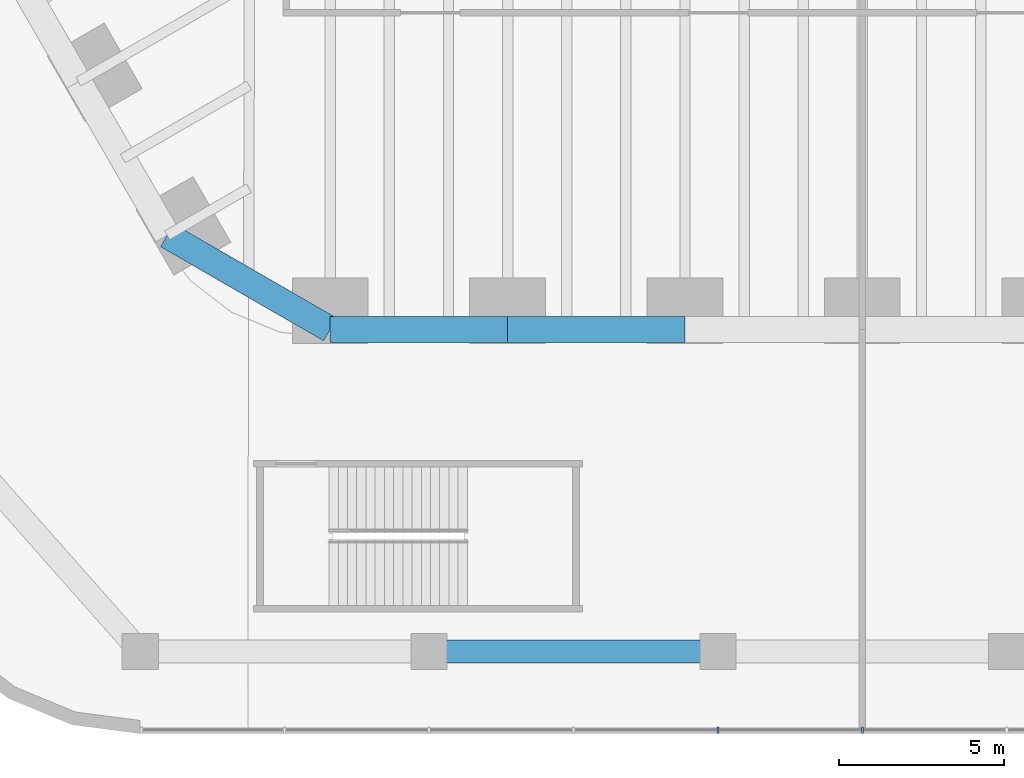
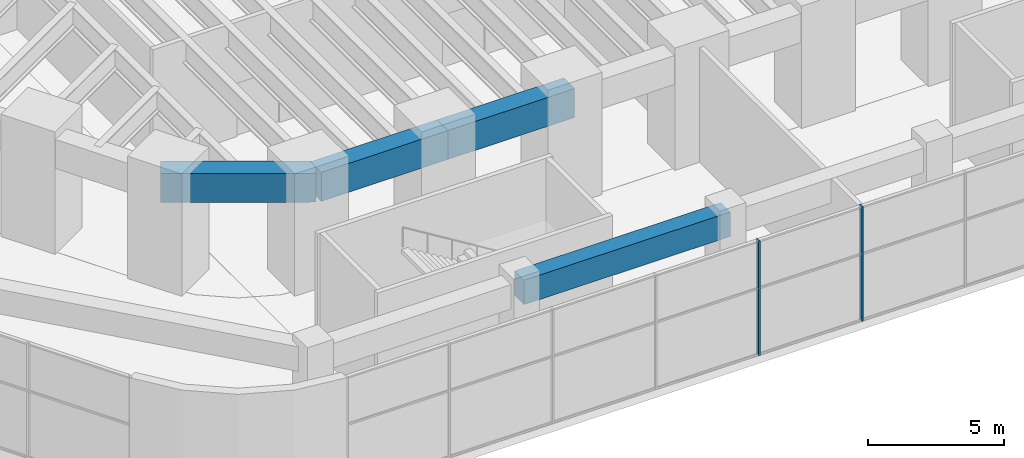
# One storey, part 5 of 31: 4 beams, 2 members, 1 element without a shape of its own.
"""IFC4 building model written with IfcOpenShell, lengths in metres."""

from ifc_helpers import new_model, si_unit, direction, frame, origin, origin_2d, place, context, subcontext, project, spatial, rectangle, extrude, material, material_profile, profile_set, type_object, element, aggregate, save


model = new_model("IFC4")

# Units and contexts
model_context = context("Model", 3, precision=1e-05, world=origin(), true_north=direction((0.0, 1.0)))
body_context = subcontext(model_context, "Body", "Model", "MODEL_VIEW")
ifc_project = project(units=[si_unit("LENGTHUNIT", "METRE"), si_unit("AREAUNIT", "SQUARE_METRE"), si_unit("VOLUMEUNIT", "CUBIC_METRE"), si_unit("PLANEANGLEUNIT", "RADIAN"), si_unit("MASSUNIT", "GRAM", prefix="KILO")], contexts=[model_context])

# Site, building, storey
site_placement = place(None, origin())
site = spatial("IfcSite", under=ifc_project, at=site_placement, CompositionType="ELEMENT")
building_placement = place(site_placement, origin())
building = spatial("IfcBuilding", under=site, at=building_placement, Name="Tarfa Lantern Tower", CompositionType="ELEMENT")
storey_placement = place(building_placement, frame((0.0, 0.0, 13.0)))
storey = spatial("IfcBuildingStorey", under=building, at=storey_placement, Name="L02", CompositionType="ELEMENT", Elevation=13.0)

# Curtain wall, members
ifc_material_1 = material(Name="Aluminium framed curtain wall", Category="aluminium")
curtain_wall_type = type_object("IfcCurtainWallType", Name="CW7 PODIUM GLAZING 5150", PredefinedType="USERDEFINED", material=ifc_material_1)
curtain_wall_placement = place(storey_placement, origin())
curtain_wall = element("IfcCurtainWall", 1, at=curtain_wall_placement, inside=storey, type_object=curtain_wall_type, Name="CW7 S L02", ObjectType="CURTAIN WALL", PredefinedType="USERDEFINED")
ifc_material_2 = material(Name="Aluminium mullion", Category="aluminium")
ifc_material_profile_1 = material_profile(ifc_material_2, rectangle(XDim=0.06494140625, YDim=0.199951171875, at=origin_2d()), Name="AL MULLION 65x200")
ifc_profile_set_1 = profile_set([ifc_material_profile_1], Name="Aluminium mullion")
member_type = type_object("IfcMemberType", Name="CWM1 MULLION 65x200", PredefinedType="MULLION", material=ifc_profile_set_1)
member_1_placement = place(storey_placement, frame((-4.387939453125, -45.89990234375, 0.0), z_axis=(0.0, 0.0, 1.0), x_axis=(1.0, 0.0, 0.0)))
member_1 = element("IfcMember", 2, at=member_1_placement, type_object=member_type, Name="CW7 mullion 5", PredefinedType="MULLION", context=body_context, shape_type="SweptSolid", body=[
    extrude(rectangle(XDim=0.06494140625, YDim=0.199951171875, at=origin_2d()), origin(), (0.0, 0.0, 1.0), 5.14990234375),
])
member_2_placement = place(storey_placement, frame((0.0, -45.89990234375, 0.0), z_axis=(0.0, 0.0, 1.0), x_axis=(1.0, 0.0, 0.0)))
member_2 = element("IfcMember", 3, at=member_2_placement, type_object=member_type, Name="CW7 mullion 6", PredefinedType="MULLION", context=body_context, shape_type="SweptSolid", body=[
    extrude(rectangle(XDim=0.06494140625, YDim=0.199951171875, at=origin_2d()), origin(), (0.0, 0.0, 1.0), 5.14990234375),
])
aggregate(curtain_wall, [member_1, member_2])

# Beams
ifc_material_3 = material(Name="Concrete C80/95", Category="concrete")
ifc_material_profile_2 = material_profile(ifc_material_3, rectangle(XDim=0.800048828125, YDim=1.300048828125, at=origin_2d()), Name="RC 800x1300")
ifc_profile_set_2 = profile_set([ifc_material_profile_2], Name="Concrete C80/95")
beam_type_1 = type_object("IfcBeamType", Name="EB1 RC 800x1300", PredefinedType="SPANDREL", material=ifc_profile_set_2)
beam_1_placement = place(storey_placement, frame((-21.119384765625, -30.860107421875, 4.5), z_axis=(0.866033479681, -0.499986011877, 0.0), x_axis=(0.499986011877, 0.866033479681, 0.0)))
element("IfcBeam", 4, at=beam_1_placement, inside=storey, type_object=beam_type_1, Name="Edge beam SW6", PredefinedType="SPANDREL", context=body_context, shape_type="SweptSolid", body=[
    extrude(rectangle(XDim=0.800048828125, YDim=1.300048828125, at=origin_2d()), origin(), (0.0, 0.0, 1.0), 5.719970703125),
])
beam_2_placement = place(storey_placement, frame((-16.165771484375, -33.719970703125, 4.5), z_axis=(1.0, 0.0, 0.0), x_axis=(0.0, 1.0, 0.0)))
element("IfcBeam", 5, at=beam_2_placement, inside=storey, type_object=beam_type_1, Name="Edge beam S0", PredefinedType="SPANDREL", context=body_context, shape_type="SweptSolid", body=[
    extrude(rectangle(XDim=0.800048828125, YDim=1.300048828125, at=origin_2d()), origin(), (0.0, 0.0, 1.0), 5.388671875),
])
beam_3_placement = place(storey_placement, frame((-10.777099609375, -33.719970703125, 4.5), z_axis=(1.0, 0.0, 0.0), x_axis=(0.0, 1.0, 0.0)))
element("IfcBeam", 6, at=beam_3_placement, inside=storey, type_object=beam_type_1, Name="Edge beam S1", PredefinedType="SPANDREL", context=body_context, shape_type="SweptSolid", body=[
    extrude(rectangle(XDim=0.800048828125, YDim=1.300048828125, at=origin_2d()), origin(), (0.0, 0.0, 1.0), 5.388427734375),
])
ifc_material_profile_3 = material_profile(ifc_material_3, rectangle(XDim=0.699951171875, YDim=1.10009765625, at=origin_2d()), Name="RC 700x1100")
ifc_profile_set_3 = profile_set([ifc_material_profile_3], Name="Concrete C80/95")
beam_type_2 = type_object("IfcBeamType", Name="PB1 RC 700x1100", PredefinedType="BEAM", material=ifc_profile_set_3)
beam_4_placement = place(storey_placement, frame((-13.16357421875, -43.5, 4.60009765625), z_axis=(1.0, 0.0, 0.0), x_axis=(0.0, 1.0, 0.0)))
element("IfcBeam", 7, at=beam_4_placement, inside=storey, type_object=beam_type_2, Name="Podium ring beam S1", PredefinedType="BEAM", context=body_context, shape_type="SweptSolid", body=[
    extrude(rectangle(XDim=0.699951171875, YDim=1.10009765625, at=origin_2d()), origin(), (0.0, 0.0, 1.0), 8.775634765625),
])

save(model, "model.ifc")
